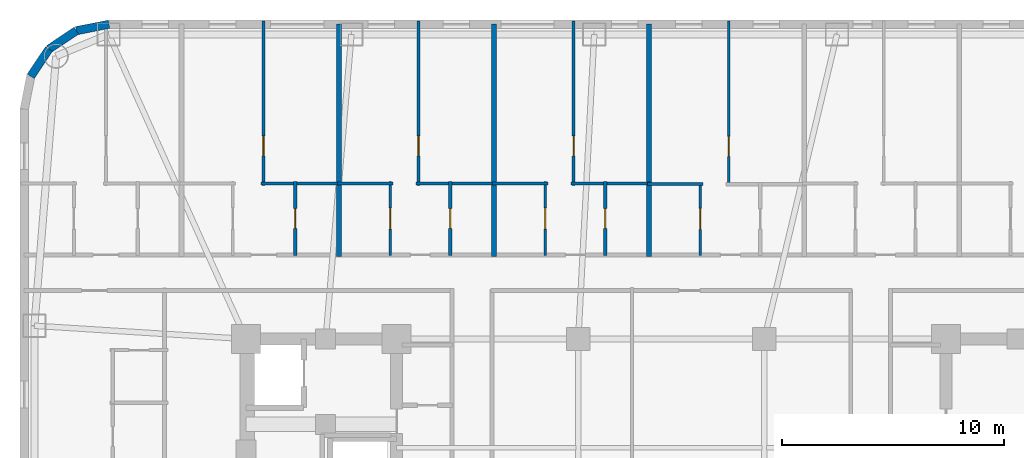
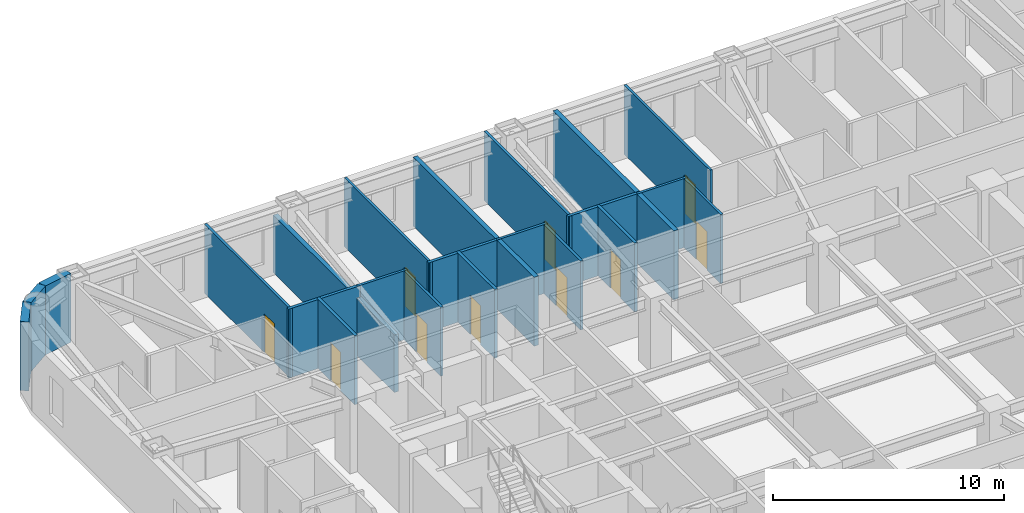
# One storey, part 9 of 13: 22 walls, 10 doors, 10 openings.
"""IFC4 building model written with IfcOpenShell, lengths in metres."""

from ifc_helpers import new_model, si_unit, direction, frame, frame_2d, origin, place, context, subcontext, project, spatial, rectangle, extrude, material, layer, layer_set, type_object, element, fill, save


model = new_model("IFC4")

# Units and contexts
model_context = context("Model", 3, precision=1e-05, world=origin(), true_north=direction((0.0, 1.0)))
body_context = subcontext(model_context, "Body", "Model", "MODEL_VIEW")
ifc_project = project(units=[si_unit("LENGTHUNIT", "METRE"), si_unit("AREAUNIT", "SQUARE_METRE"), si_unit("VOLUMEUNIT", "CUBIC_METRE"), si_unit("PLANEANGLEUNIT", "RADIAN"), si_unit("MASSUNIT", "GRAM", prefix="KILO")], contexts=[model_context])

# Site, building, storey
site_placement = place(None, origin())
site = spatial("IfcSite", under=ifc_project, at=site_placement, CompositionType="ELEMENT")
building_placement = place(site_placement, origin())
building = spatial("IfcBuilding", under=site, at=building_placement, Name="Voryun Gate Residences", CompositionType="ELEMENT")
storey_placement = place(building_placement, frame((0.0, 0.0, 120.89990234375)))
storey = spatial("IfcBuildingStorey", under=building, at=storey_placement, Name="L29", CompositionType="ELEMENT", Elevation=120.89990234375)

# Walls
ifc_material_1 = material(Name="Granite masonry", Category="masonry")
ifc_layer_1 = layer(ifc_material_1, 0.3798828125, Name="W_EXT_GRANITE_380")
ifc_layer_set_1 = layer_set([ifc_layer_1], Name="Granite masonry")
wall_type_1 = type_object("IfcWallType", Name="W_EXT_GRANITE_380", PredefinedType="ELEMENTEDWALL", material=ifc_layer_set_1)
wall_1_placement = place(storey_placement, frame((-28.91650390625, 19.256591796875, 0.0), z_axis=(0.0, 0.0, 1.0), x_axis=(0.555610286119, 0.831442848281, 0.0)))
element("IfcWall", 1, at=wall_1_placement, inside=storey, type_object=wall_type_1, Name="Exterior wall WEXT-L29-08", PredefinedType="ELEMENTEDWALL", context=body_context, shape_type="SweptSolid", body=[
    extrude(rectangle(XDim=1.485107421875, YDim=0.3798828125, at=frame_2d((0.74267578125, 0.0))), origin(), (0.0, 0.0, 1.0), 3.650146484375),
])
wall_2_placement = place(storey_placement, frame((-28.09130859375, 20.491455078125, 0.0), z_axis=(0.0, 0.0, 1.0), x_axis=(0.831468045563, 0.555572577804, 0.0)))
element("IfcWall", 2, at=wall_2_placement, inside=storey, type_object=wall_type_1, Name="Exterior wall WEXT-L29-09", PredefinedType="ELEMENTEDWALL", context=body_context, shape_type="SweptSolid", body=[
    extrude(rectangle(XDim=1.48486328125, YDim=0.3798828125, at=frame_2d((0.742431640625, 0.0))), origin(), (0.0, 0.0, 1.0), 3.650146484375),
])
wall_3_placement = place(storey_placement, frame((-26.856689453125, 21.31640625, 0.0), z_axis=(0.0, 0.0, 1.0), x_axis=(0.980755066645, 0.195242155415, 0.0)))
element("IfcWall", 3, at=wall_3_placement, inside=storey, type_object=wall_type_1, Name="Exterior wall WEXT-L29-10", PredefinedType="ELEMENTEDWALL", context=body_context, shape_type="SweptSolid", body=[
    extrude(rectangle(XDim=1.50439453125, YDim=0.3798828125, at=frame_2d((0.752197265625, 0.0))), origin(), (0.0, 0.0, 1.0), 3.650146484375),
])
ifc_material_2 = material(Name="Concrete C40/50", Category="concrete")
ifc_layer_2 = layer(ifc_material_2, 0.219970703125, Name="W_PARTY_ACOUSTIC_220")
ifc_layer_set_2 = layer_set([ifc_layer_2], Name="Concrete C40/50")
wall_type_2 = type_object("IfcWallType", Name="W_PARTY_ACOUSTIC_220", PredefinedType="PARTITIONING", material=ifc_layer_set_2)
wall_4_placement = place(storey_placement, frame((-15.0, 11.1201171875, 0.0), z_axis=(0.0, 0.0, 1.0), x_axis=(0.0, 1.0, 0.0)))
element("IfcWall", 4, at=wall_4_placement, inside=storey, type_object=wall_type_2, Name="Partition wall WP-L29-NPTY-2", PredefinedType="PARTITIONING", context=body_context, shape_type="SweptSolid", body=[
    extrude(rectangle(XDim=10.489990234375, YDim=0.219970703125, at=frame_2d((5.2451171875, 0.0))), origin(), (0.0, 0.0, 1.0), 3.0400390625),
])
for number, where, z_axis, x_axis, name in (
    (5, (-8.0, 11.1201171875, 0.0), (0.0, 0.0, 1.0), (0.0, 1.0, 0.0), "Partition wall WP-L29-NPTY-3"),
    (6, (-1.0, 11.1201171875, 0.0), (0.0, 0.0, 1.0), (0.0, 1.0, 0.0), "Partition wall WP-L29-NPTY-4"),
):
    element("IfcWall", number, at=place(storey_placement, frame(where, z_axis=z_axis, x_axis=x_axis)), inside=storey, type_object=wall_type_2, Name=name, PredefinedType="PARTITIONING", context=body_context, shape_type="SweptSolid", body=[
        extrude(rectangle(XDim=10.489990234375, YDim=0.219970703125, at=frame_2d((5.2451171875, 0.0))), origin(), (0.0, 0.0, 1.0), 3.650146484375),
    ])

# Wall, opening, door
ifc_material_3 = material(Name="Gypsum acoustic partition")
ifc_layer_3 = layer(ifc_material_3, 0.125, Name="W_UNIT_PART_125")
ifc_layer_set_3 = layer_set([ifc_layer_3], Name="Gypsum acoustic partition")
wall_type_3 = type_object("IfcWallType", Name="W_UNIT_PART_125", PredefinedType="PARTITIONING", material=ifc_layer_set_3)
wall_5_placement = place(storey_placement, frame((-18.409912109375, 14.340087890625, 0.0), z_axis=(0.0, 0.0, 1.0), x_axis=(0.0, 1.0, 0.0)))
wall_5 = element("IfcWall", 7, at=wall_5_placement, inside=storey, type_object=wall_type_3, Name="Partition wall WP-L29-N2-OVR", PredefinedType="PARTITIONING", context=body_context, shape_type="SweptSolid", body=[
    extrude(rectangle(XDim=7.419921875, YDim=0.125, at=frame_2d((3.7099609375, 0.0))), origin(), (0.0, 0.0, 1.0), 3.650146484375),
])
opening_1_placement = place(wall_5_placement, frame((1.330810546875, 0.0, 0.0)))
opening_1 = element("IfcOpeningElement", 8, at=opening_1_placement, cuts=wall_5, Name="Opening D-INT-2", PredefinedType="OPENING", context=body_context, shape_type="SweptSolid", body=[
    extrude(rectangle(XDim=0.89990234375, YDim=2.050048828125, at=frame_2d((0.449951171875, 1.02490234375))), frame((0.0, 0.072509765625, 0.0), z_axis=(0.0, -1.0, 0.0), x_axis=(1.0, 0.0, 0.0)), (0.0, 0.0, 1.0), 0.14501953125),
])
ifc_material_4 = material(Name="Architectural oak veneer")
door_type_1 = type_object("IfcDoorType", Name="DR_INT_BATH_900", OperationType="NOTDEFINED", PredefinedType="DOOR", material=ifc_material_4)
door_1_placement = place(opening_1_placement, origin())
door_1 = element("IfcDoor", 9, at=door_1_placement, inside=storey, type_object=door_type_1, Name="Door DR-L29-N2-DMB", OperationType="SINGLE_SWING_RIGHT", OverallHeight=2.050048828125, OverallWidth=0.89990234375, PredefinedType="DOOR", context=body_context, shape_type="SweptSolid", body=[
    extrude(rectangle(XDim=0.89990234375, YDim=2.050048828125, at=frame_2d((0.449951171875, 1.02490234375))), frame((0.0, 0.02490234375, 0.0), z_axis=(0.0, -1.0, 0.0), x_axis=(1.0, 0.0, 0.0)), (0.0, 0.0, 1.0), 0.050048828125),
])
fill(opening_1, door_1)

wall_6_placement = place(storey_placement, frame((-11.409912109375, 14.340087890625, 0.0), z_axis=(0.0, 0.0, 1.0), x_axis=(0.0, 1.0, 0.0)))
wall_6 = element("IfcWall", 10, at=wall_6_placement, inside=storey, type_object=wall_type_3, Name="Partition wall WP-L29-N3-OVR", PredefinedType="PARTITIONING", context=body_context, shape_type="SweptSolid", body=[
    extrude(rectangle(XDim=7.419921875, YDim=0.125, at=frame_2d((3.7099609375, 0.0))), origin(), (0.0, 0.0, 1.0), 3.650146484375),
])
opening_2_placement = place(wall_6_placement, frame((1.330810546875, 0.0, 0.0)))
opening_2 = element("IfcOpeningElement", 11, at=opening_2_placement, cuts=wall_6, Name="Opening D-INT-2", PredefinedType="OPENING", context=body_context, shape_type="SweptSolid", body=[
    extrude(rectangle(XDim=0.89990234375, YDim=2.050048828125, at=frame_2d((0.449951171875, 1.02490234375))), frame((0.0, 0.072509765625, 0.0), z_axis=(0.0, -1.0, 0.0), x_axis=(1.0, 0.0, 0.0)), (0.0, 0.0, 1.0), 0.14501953125),
])
door_2_placement = place(opening_2_placement, origin())
door_2 = element("IfcDoor", 12, at=door_2_placement, inside=storey, type_object=door_type_1, Name="Door DR-L29-N3-DMB", OperationType="SINGLE_SWING_RIGHT", OverallHeight=2.050048828125, OverallWidth=0.89990234375, PredefinedType="DOOR", context=body_context, shape_type="SweptSolid", body=[
    extrude(rectangle(XDim=0.89990234375, YDim=2.050048828125, at=frame_2d((0.449951171875, 1.02490234375))), frame((0.0, 0.02490234375, 0.0), z_axis=(0.0, -1.0, 0.0), x_axis=(1.0, 0.0, 0.0)), (0.0, 0.0, 1.0), 0.050048828125),
])
fill(opening_2, door_2)

wall_7_placement = place(storey_placement, frame((-12.68994140625, 11.179931640625, 0.0), z_axis=(0.0, 0.0, 1.0), x_axis=(0.0, 1.0, 0.0)))
wall_7 = element("IfcWall", 13, at=wall_7_placement, inside=storey, type_object=wall_type_3, Name="Partition wall WP-L29-N3-IVK", PredefinedType="PARTITIONING", context=body_context, shape_type="SweptSolid", body=[
    extrude(rectangle(XDim=3.320068359375, YDim=0.125, at=frame_2d((1.66015625, 0.0))), origin(), (0.0, 0.0, 1.0), 3.650146484375),
])
opening_3_placement = place(wall_7_placement, frame((1.18505859375, 0.0, 0.0)))
opening_3 = element("IfcOpeningElement", 14, at=opening_3_placement, cuts=wall_7, Name="Opening D-INT-1", PredefinedType="OPENING", context=body_context, shape_type="SweptSolid", body=[
    extrude(rectangle(XDim=0.949951171875, YDim=2.050048828125, at=frame_2d((0.47509765625, 1.02490234375))), frame((0.0, 0.072509765625, 0.0), z_axis=(0.0, -1.0, 0.0), x_axis=(1.0, 0.0, 0.0)), (0.0, 0.0, 1.0), 0.14501953125),
])
ifc_material_5 = material(Name="Architectural oak veneer")
door_type_2 = type_object("IfcDoorType", Name="DR_INT_ROOM_950", OperationType="NOTDEFINED", PredefinedType="DOOR", material=ifc_material_5)
door_3_placement = place(opening_3_placement, origin())
door_3 = element("IfcDoor", 15, at=door_3_placement, inside=storey, type_object=door_type_2, Name="Door DR-L29-N3-DK", OperationType="SINGLE_SWING_LEFT", OverallHeight=2.050048828125, OverallWidth=0.949951171875, PredefinedType="DOOR", context=body_context, shape_type="SweptSolid", body=[
    extrude(rectangle(XDim=0.949951171875, YDim=2.050048828125, at=frame_2d((0.47509765625, 1.02490234375))), frame((0.0, 0.02490234375, 0.0), z_axis=(0.0, -1.0, 0.0), x_axis=(1.0, 0.0, 0.0)), (0.0, 0.0, 1.0), 0.050048828125),
])
fill(opening_3, door_3)

# Wall
wall_8_placement = place(storey_placement, frame((-15.074951171875, 14.419921875, 0.0), z_axis=(0.0, 0.0, 1.0), x_axis=(1.0, 0.0, 0.0)))
element("IfcWall", 16, at=wall_8_placement, inside=storey, type_object=wall_type_3, Name="Partition wall WP-L29-N3-HZK", PredefinedType="PARTITIONING", context=body_context, shape_type="SweptSolid", body=[
    extrude(rectangle(XDim=2.5048828125, YDim=0.125, at=frame_2d((1.25244140625, 0.0))), origin(), (0.0, 0.0, 1.0), 3.650146484375),
])

# Wall, opening, door
wall_9_placement = place(storey_placement, frame((-4.409912109375, 14.340087890625, 0.0), z_axis=(0.0, 0.0, 1.0), x_axis=(0.0, 1.0, 0.0)))
wall_9 = element("IfcWall", 17, at=wall_9_placement, inside=storey, type_object=wall_type_3, Name="Partition wall WP-L29-N4-OVR", PredefinedType="PARTITIONING", context=body_context, shape_type="SweptSolid", body=[
    extrude(rectangle(XDim=7.419921875, YDim=0.125, at=frame_2d((3.7099609375, 0.0))), origin(), (0.0, 0.0, 1.0), 3.650146484375),
])
opening_4_placement = place(wall_9_placement, frame((1.330810546875, 0.0, 0.0)))
opening_4 = element("IfcOpeningElement", 18, at=opening_4_placement, cuts=wall_9, Name="Opening D-INT-2", PredefinedType="OPENING", context=body_context, shape_type="SweptSolid", body=[
    extrude(rectangle(XDim=0.89990234375, YDim=2.050048828125, at=frame_2d((0.449951171875, 1.02490234375))), frame((0.0, 0.072509765625, 0.0), z_axis=(0.0, -1.0, 0.0), x_axis=(1.0, 0.0, 0.0)), (0.0, 0.0, 1.0), 0.14501953125),
])
door_4_placement = place(opening_4_placement, origin())
door_4 = element("IfcDoor", 19, at=door_4_placement, inside=storey, type_object=door_type_1, Name="Door DR-L29-N4-DMB", OperationType="SINGLE_SWING_RIGHT", OverallHeight=2.050048828125, OverallWidth=0.89990234375, PredefinedType="DOOR", context=body_context, shape_type="SweptSolid", body=[
    extrude(rectangle(XDim=0.89990234375, YDim=2.050048828125, at=frame_2d((0.449951171875, 1.02490234375))), frame((0.0, 0.02490234375, 0.0), z_axis=(0.0, -1.0, 0.0), x_axis=(1.0, 0.0, 0.0)), (0.0, 0.0, 1.0), 0.050048828125),
])
fill(opening_4, door_4)

wall_10_placement = place(storey_placement, frame((-5.68994140625, 11.179931640625, 0.0), z_axis=(0.0, 0.0, 1.0), x_axis=(0.0, 1.0, 0.0)))
wall_10 = element("IfcWall", 20, at=wall_10_placement, inside=storey, type_object=wall_type_3, Name="Partition wall WP-L29-N4-IVK", PredefinedType="PARTITIONING", context=body_context, shape_type="SweptSolid", body=[
    extrude(rectangle(XDim=3.320068359375, YDim=0.125, at=frame_2d((1.66015625, 0.0))), origin(), (0.0, 0.0, 1.0), 3.650146484375),
])
opening_5_placement = place(wall_10_placement, frame((1.18505859375, 0.0, 0.0)))
opening_5 = element("IfcOpeningElement", 21, at=opening_5_placement, cuts=wall_10, Name="Opening D-INT-1", PredefinedType="OPENING", context=body_context, shape_type="SweptSolid", body=[
    extrude(rectangle(XDim=0.949951171875, YDim=2.050048828125, at=frame_2d((0.47509765625, 1.02490234375))), frame((0.0, 0.072509765625, 0.0), z_axis=(0.0, -1.0, 0.0), x_axis=(1.0, 0.0, 0.0)), (0.0, 0.0, 1.0), 0.14501953125),
])
door_5_placement = place(opening_5_placement, origin())
door_5 = element("IfcDoor", 22, at=door_5_placement, inside=storey, type_object=door_type_2, Name="Door DR-L29-N4-DK", OperationType="SINGLE_SWING_LEFT", OverallHeight=2.050048828125, OverallWidth=0.949951171875, PredefinedType="DOOR", context=body_context, shape_type="SweptSolid", body=[
    extrude(rectangle(XDim=0.949951171875, YDim=2.050048828125, at=frame_2d((0.47509765625, 1.02490234375))), frame((0.0, 0.02490234375, 0.0), z_axis=(0.0, -1.0, 0.0), x_axis=(1.0, 0.0, 0.0)), (0.0, 0.0, 1.0), 0.050048828125),
])
fill(opening_5, door_5)

# Wall
wall_11_placement = place(storey_placement, frame((-8.074951171875, 14.419921875, 0.0), z_axis=(0.0, 0.0, 1.0), x_axis=(1.0, 0.0, 0.0)))
element("IfcWall", 23, at=wall_11_placement, inside=storey, type_object=wall_type_3, Name="Partition wall WP-L29-N4-HZK", PredefinedType="PARTITIONING", context=body_context, shape_type="SweptSolid", body=[
    extrude(rectangle(XDim=2.5048828125, YDim=0.125, at=frame_2d((1.25244140625, 0.0))), origin(), (0.0, 0.0, 1.0), 3.650146484375),
])

# Wall, opening, door
wall_12_placement = place(storey_placement, frame((2.590087890625, 14.31103515625, 0.0), z_axis=(0.0, 0.0, 1.0), x_axis=(0.0, 1.0, 0.0)))
wall_12 = element("IfcWall", 24, at=wall_12_placement, inside=storey, type_object=wall_type_3, Name="Partition wall WP-L29-N5-OVR", PredefinedType="PARTITIONING", context=body_context, shape_type="SweptSolid", body=[
    extrude(rectangle(XDim=7.448974609375, YDim=0.125, at=frame_2d((3.724609375, 0.0))), origin(), (0.0, 0.0, 1.0), 3.650146484375),
])
opening_6_placement = place(wall_12_placement, frame((1.337890625, 0.0, 0.0)))
opening_6 = element("IfcOpeningElement", 25, at=opening_6_placement, cuts=wall_12, Name="Opening D-INT-2", PredefinedType="OPENING", context=body_context, shape_type="SweptSolid", body=[
    extrude(rectangle(XDim=0.89990234375, YDim=2.050048828125, at=frame_2d((0.449951171875, 1.02490234375))), frame((0.0, 0.072509765625, 0.0), z_axis=(0.0, -1.0, 0.0), x_axis=(1.0, 0.0, 0.0)), (0.0, 0.0, 1.0), 0.14501953125),
])
door_6_placement = place(opening_6_placement, origin())
door_6 = element("IfcDoor", 26, at=door_6_placement, inside=storey, type_object=door_type_1, Name="Door DR-L29-N5-DMB", OperationType="SINGLE_SWING_RIGHT", OverallHeight=2.050048828125, OverallWidth=0.89990234375, PredefinedType="DOOR", context=body_context, shape_type="SweptSolid", body=[
    extrude(rectangle(XDim=0.89990234375, YDim=2.050048828125, at=frame_2d((0.449951171875, 1.02490234375))), frame((0.0, 0.02490234375, 0.0), z_axis=(0.0, -1.0, 0.0), x_axis=(1.0, 0.0, 0.0)), (0.0, 0.0, 1.0), 0.050048828125),
])
fill(opening_6, door_6)

wall_13_placement = place(storey_placement, frame((1.31005859375, 11.179931640625, 0.0), z_axis=(0.0, 0.0, 1.0), x_axis=(0.0, 1.0, 0.0)))
wall_13 = element("IfcWall", 27, at=wall_13_placement, inside=storey, type_object=wall_type_3, Name="Partition wall WP-L29-N5-IVK", PredefinedType="PARTITIONING", context=body_context, shape_type="SweptSolid", body=[
    extrude(rectangle(XDim=3.291015625, YDim=0.125, at=frame_2d((1.6455078125, 0.0))), origin(), (0.0, 0.0, 1.0), 3.650146484375),
])
opening_7_placement = place(wall_13_placement, frame((1.17041015625, 0.0, 0.0)))
opening_7 = element("IfcOpeningElement", 28, at=opening_7_placement, cuts=wall_13, Name="Opening D-INT-1", PredefinedType="OPENING", context=body_context, shape_type="SweptSolid", body=[
    extrude(rectangle(XDim=0.949951171875, YDim=2.050048828125, at=frame_2d((0.47509765625, 1.02490234375))), frame((0.0, 0.072509765625, 0.0), z_axis=(0.0, -1.0, 0.0), x_axis=(1.0, 0.0, 0.0)), (0.0, 0.0, 1.0), 0.14501953125),
])
door_7_placement = place(opening_7_placement, origin())
door_7 = element("IfcDoor", 29, at=door_7_placement, inside=storey, type_object=door_type_2, Name="Door DR-L29-N5-DK", OperationType="SINGLE_SWING_LEFT", OverallHeight=2.050048828125, OverallWidth=0.949951171875, PredefinedType="DOOR", context=body_context, shape_type="SweptSolid", body=[
    extrude(rectangle(XDim=0.949951171875, YDim=2.050048828125, at=frame_2d((0.47509765625, 1.02490234375))), frame((0.0, 0.02490234375, 0.0), z_axis=(0.0, -1.0, 0.0), x_axis=(1.0, 0.0, 0.0)), (0.0, 0.0, 1.0), 0.050048828125),
])
fill(opening_7, door_7)

# Walls
wall_14_placement = place(storey_placement, frame((-1.074951171875, 14.39111328125, 0.0), z_axis=(0.0, 0.0, 1.0), x_axis=(1.0, 0.0, 0.0)))
element("IfcWall", 30, at=wall_14_placement, inside=storey, type_object=wall_type_3, Name="Partition wall WP-L29-N5-HZK", PredefinedType="PARTITIONING", context=body_context, shape_type="SweptSolid", body=[
    extrude(rectangle(XDim=2.5048828125, YDim=0.125, at=frame_2d((1.25244140625, 0.0))), origin(), (0.0, 0.0, 1.0), 3.650146484375),
])
ifc_material_6 = material(Name="Gypsum moisture-resistant partition")
ifc_layer_4 = layer(ifc_material_6, 0.14990234375, Name="W_WET_PLUMB_150")
ifc_layer_set_4 = layer_set([ifc_layer_4], Name="Gypsum moisture-resistant partition")
wall_type_4 = type_object("IfcWallType", Name="W_WET_PLUMB_150", PredefinedType="PLUMBINGWALL", material=ifc_layer_set_4)
wall_15_placement = place(storey_placement, frame((-18.530029296875, 14.419921875, 0.0), z_axis=(0.0, 0.0, 1.0), x_axis=(1.0, 0.0, 0.0)))
element("IfcWall", 31, at=wall_15_placement, inside=storey, type_object=wall_type_4, Name="Partition wall WP-L29-N2-HZB", PredefinedType="PLUMBINGWALL", context=body_context, shape_type="SweptSolid", body=[
    extrude(rectangle(XDim=3.60498046875, YDim=0.14990234375, at=frame_2d((1.802490234375, 0.0))), origin(), (0.0, 0.0, 1.0), 3.650146484375),
])

# Wall, opening, door
wall_16_placement = place(storey_placement, frame((-16.97998046875, 11.179931640625, 0.0), z_axis=(0.0, 0.0, 1.0), x_axis=(0.0, 1.0, 0.0)))
wall_16 = element("IfcWall", 32, at=wall_16_placement, inside=storey, type_object=wall_type_4, Name="Partition wall WP-L29-N2-IVB", PredefinedType="PLUMBINGWALL", context=body_context, shape_type="SweptSolid", body=[
    extrude(rectangle(XDim=3.320068359375, YDim=0.14990234375, at=frame_2d((1.66015625, 0.0))), origin(), (0.0, 0.0, 1.0), 3.650146484375),
])
opening_8_placement = place(wall_16_placement, frame((1.2099609375, 0.0, 0.0)))
opening_8 = element("IfcOpeningElement", 33, at=opening_8_placement, cuts=wall_16, Name="Opening D-INT-2", PredefinedType="OPENING", context=body_context, shape_type="SweptSolid", body=[
    extrude(rectangle(XDim=0.89990234375, YDim=2.050048828125, at=frame_2d((0.449951171875, 1.02490234375))), frame((0.0, 0.0849609375, 0.0), z_axis=(0.0, -1.0, 0.0), x_axis=(1.0, 0.0, 0.0)), (0.0, 0.0, 1.0), 0.169921875),
])
door_8_placement = place(opening_8_placement, origin())
door_8 = element("IfcDoor", 34, at=door_8_placement, inside=storey, type_object=door_type_1, Name="Door DR-L29-N2-DB", OperationType="SINGLE_SWING_RIGHT", OverallHeight=2.050048828125, OverallWidth=0.89990234375, PredefinedType="DOOR", context=body_context, shape_type="SweptSolid", body=[
    extrude(rectangle(XDim=0.89990234375, YDim=2.050048828125, at=frame_2d((0.449951171875, 1.02490234375))), frame((0.0, 0.02490234375, 0.0), z_axis=(0.0, -1.0, 0.0), x_axis=(1.0, 0.0, 0.0)), (0.0, 0.0, 1.0), 0.050048828125),
])
fill(opening_8, door_8)

# Wall
wall_17_placement = place(storey_placement, frame((-11.530029296875, 14.419921875, 0.0), z_axis=(0.0, 0.0, 1.0), x_axis=(1.0, 0.0, 0.0)))
element("IfcWall", 35, at=wall_17_placement, inside=storey, type_object=wall_type_4, Name="Partition wall WP-L29-N3-HZB", PredefinedType="PLUMBINGWALL", context=body_context, shape_type="SweptSolid", body=[
    extrude(rectangle(XDim=3.60498046875, YDim=0.14990234375, at=frame_2d((1.802490234375, 0.0))), origin(), (0.0, 0.0, 1.0), 3.650146484375),
])

# Wall, opening, door
wall_18_placement = place(storey_placement, frame((-9.97998046875, 11.179931640625, 0.0), z_axis=(0.0, 0.0, 1.0), x_axis=(0.0, 1.0, 0.0)))
wall_18 = element("IfcWall", 36, at=wall_18_placement, inside=storey, type_object=wall_type_4, Name="Partition wall WP-L29-N3-IVB", PredefinedType="PLUMBINGWALL", context=body_context, shape_type="SweptSolid", body=[
    extrude(rectangle(XDim=3.320068359375, YDim=0.14990234375, at=frame_2d((1.66015625, 0.0))), origin(), (0.0, 0.0, 1.0), 3.650146484375),
])
opening_9_placement = place(wall_18_placement, frame((1.2099609375, 0.0, 0.0)))
opening_9 = element("IfcOpeningElement", 37, at=opening_9_placement, cuts=wall_18, Name="Opening D-INT-2", PredefinedType="OPENING", context=body_context, shape_type="SweptSolid", body=[
    extrude(rectangle(XDim=0.89990234375, YDim=2.050048828125, at=frame_2d((0.449951171875, 1.02490234375))), frame((0.0, 0.0849609375, 0.0), z_axis=(0.0, -1.0, 0.0), x_axis=(1.0, 0.0, 0.0)), (0.0, 0.0, 1.0), 0.169921875),
])
door_9_placement = place(opening_9_placement, origin())
door_9 = element("IfcDoor", 38, at=door_9_placement, inside=storey, type_object=door_type_1, Name="Door DR-L29-N3-DB", OperationType="SINGLE_SWING_RIGHT", OverallHeight=2.050048828125, OverallWidth=0.89990234375, PredefinedType="DOOR", context=body_context, shape_type="SweptSolid", body=[
    extrude(rectangle(XDim=0.89990234375, YDim=2.050048828125, at=frame_2d((0.449951171875, 1.02490234375))), frame((0.0, 0.02490234375, 0.0), z_axis=(0.0, -1.0, 0.0), x_axis=(1.0, 0.0, 0.0)), (0.0, 0.0, 1.0), 0.050048828125),
])
fill(opening_9, door_9)

# Wall
wall_19_placement = place(storey_placement, frame((-4.530029296875, 14.419921875, 0.0), z_axis=(0.0, 0.0, 1.0), x_axis=(1.0, 0.0, 0.0)))
element("IfcWall", 39, at=wall_19_placement, inside=storey, type_object=wall_type_4, Name="Partition wall WP-L29-N4-HZB", PredefinedType="PLUMBINGWALL", context=body_context, shape_type="SweptSolid", body=[
    extrude(rectangle(XDim=3.60498046875, YDim=0.14990234375, at=frame_2d((1.802490234375, 0.0))), origin(), (0.0, 0.0, 1.0), 3.650146484375),
])

# Wall, opening, door
wall_20_placement = place(storey_placement, frame((-2.97998046875, 11.179931640625, 0.0), z_axis=(0.0, 0.0, 1.0), x_axis=(0.0, 1.0, 0.0)))
wall_20 = element("IfcWall", 40, at=wall_20_placement, inside=storey, type_object=wall_type_4, Name="Partition wall WP-L29-N4-IVB", PredefinedType="PLUMBINGWALL", context=body_context, shape_type="SweptSolid", body=[
    extrude(rectangle(XDim=3.320068359375, YDim=0.14990234375, at=frame_2d((1.66015625, 0.0))), origin(), (0.0, 0.0, 1.0), 3.650146484375),
])
opening_10_placement = place(wall_20_placement, frame((1.2099609375, 0.0, 0.0)))
opening_10 = element("IfcOpeningElement", 41, at=opening_10_placement, cuts=wall_20, Name="Opening D-INT-2", PredefinedType="OPENING", context=body_context, shape_type="SweptSolid", body=[
    extrude(rectangle(XDim=0.89990234375, YDim=2.050048828125, at=frame_2d((0.449951171875, 1.02490234375))), frame((0.0, 0.0849609375, 0.0), z_axis=(0.0, -1.0, 0.0), x_axis=(1.0, 0.0, 0.0)), (0.0, 0.0, 1.0), 0.169921875),
])
door_10_placement = place(opening_10_placement, origin())
door_10 = element("IfcDoor", 42, at=door_10_placement, inside=storey, type_object=door_type_1, Name="Door DR-L29-N4-DB", OperationType="SINGLE_SWING_RIGHT", OverallHeight=2.050048828125, OverallWidth=0.89990234375, PredefinedType="DOOR", context=body_context, shape_type="SweptSolid", body=[
    extrude(rectangle(XDim=0.89990234375, YDim=2.050048828125, at=frame_2d((0.449951171875, 1.02490234375))), frame((0.0, 0.02490234375, 0.0), z_axis=(0.0, -1.0, 0.0), x_axis=(1.0, 0.0, 0.0)), (0.0, 0.0, 1.0), 0.050048828125),
])
fill(opening_10, door_10)

save(model, "model.ifc")
